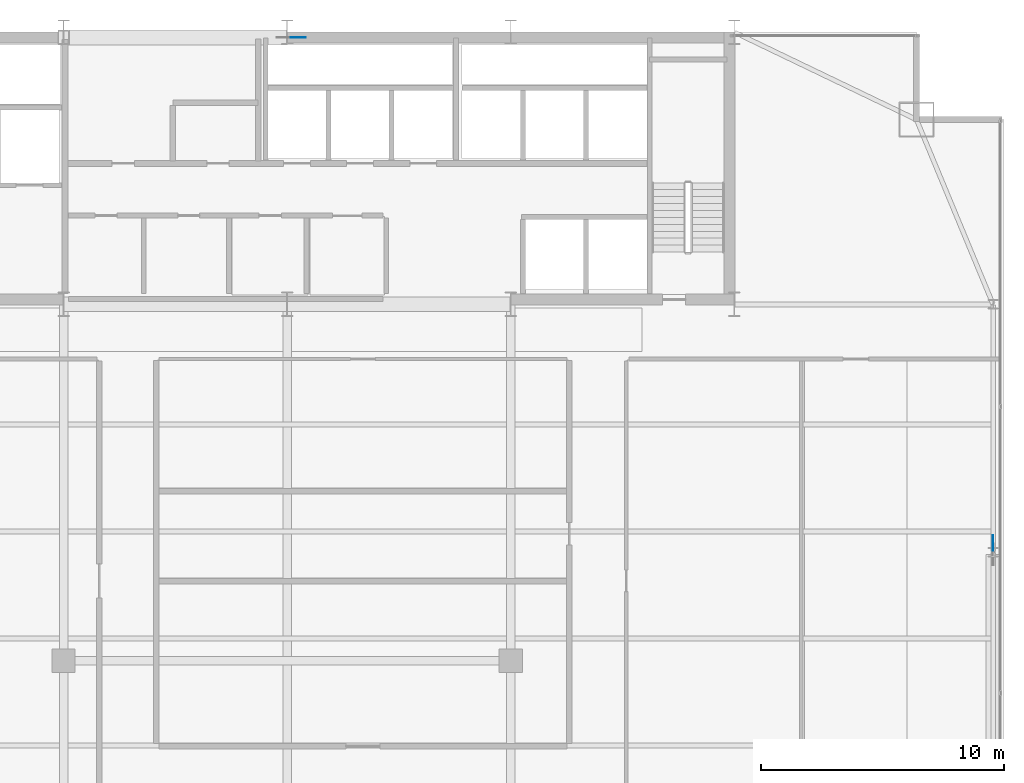
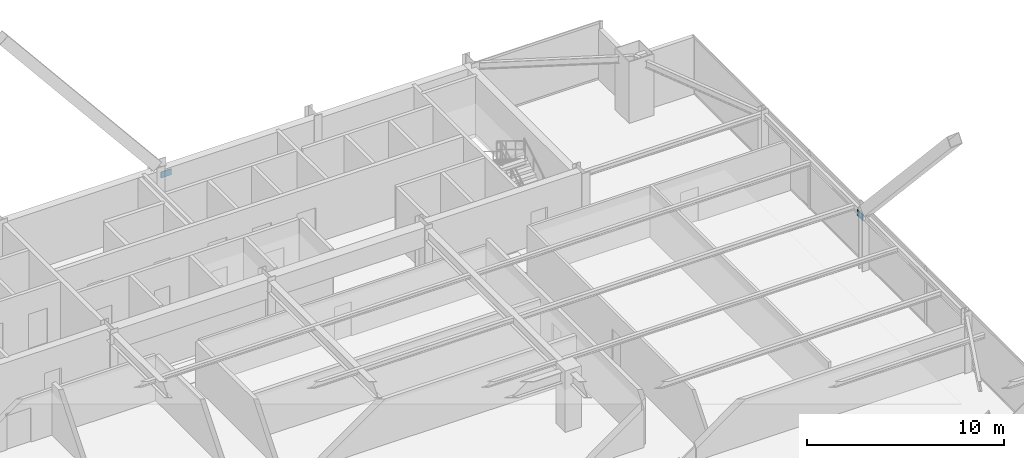
# One storey, part 32 of 37: 2 plates.
"""IFC4 building model written with IfcOpenShell, lengths in metres."""

from ifc_helpers import new_model, si_unit, direction, frame, origin, origin_2d, place, context, subcontext, project, spatial, rectangle, extrude, source, transform, mapped, material, layer, layer_set, type_object, type_shapes, element, save


model = new_model("IFC4")

# Units and contexts
model_context = context("Model", 3, precision=1e-05, world=origin(), true_north=direction((0.0, 1.0)))
body_context = subcontext(model_context, "Body", "Model", "MODEL_VIEW")
ifc_project = project(units=[si_unit("LENGTHUNIT", "METRE"), si_unit("AREAUNIT", "SQUARE_METRE"), si_unit("VOLUMEUNIT", "CUBIC_METRE"), si_unit("PLANEANGLEUNIT", "RADIAN"), si_unit("MASSUNIT", "GRAM", prefix="KILO")], contexts=[model_context])

# Site, building, storey
site_placement = place(None, origin())
site = spatial("IfcSite", under=ifc_project, at=site_placement, CompositionType="ELEMENT")
building_placement = place(site_placement, origin())
building = spatial("IfcBuilding", under=site, at=building_placement, Name="Varnel Quay Broadcast Tower", CompositionType="ELEMENT")
storey_placement = place(building_placement, frame((0.0, 0.0, 125.800048828125)))
storey = spatial("IfcBuildingStorey", under=building, at=storey_placement, Name="L30", CompositionType="ELEMENT", Elevation=125.800048828125)

# Plates
ifc_material = material(Name="Structural Steel CSA G40.21 350WT", Category="steel")
ifc_layer = layer(ifc_material, 0.031982421875, Name="Structural Steel CSA G40.21 350WT")
ifc_layer_set = layer_set([ifc_layer], Name="Structural Steel CSA G40.21 350WT")
plate_type = type_object("IfcPlateType", Name="Plate_EndCap", PredefinedType="USERDEFINED", material=ifc_layer_set)
shared_shape = source(origin(), body_context, "Body", "SweptSolid", [
    extrude(rectangle(XDim=0.6201171875, YDim=0.031982421875, at=origin_2d()), origin(), (0.0, 0.0, 1.0), 0.3798828125),
])
type_shapes(plate_type, [shared_shape])
for number, where, z_axis, x_axis, name in (
    (1, (34.45068359375, 46.580078125, 2.900390625), (0.0, 0.0, 1.0), (1.0, 0.0, 0.0), "Zone 2 Mega-Brace N-CT3 Diag B1 End Connection Plate P1"),
    (2, (63.050048828125, 25.777587890625, 2.929931640625), (0.0, 0.0, 1.0), (0.0, 1.0, 0.0), "Zone 2 Mega-Brace E-FT3 Diag B1 End Connection Plate P1"),
):
    element("IfcPlate", number, at=place(storey_placement, frame(where, z_axis=z_axis, x_axis=x_axis)), inside=storey, type_object=plate_type, Name=name, ObjectType="CAP_PLATE", PredefinedType="USERDEFINED", context=body_context, shape_type="MappedRepresentation", body=[
        mapped(shared_shape, transform((0.0, 0.0, 0.0), x_axis=(1.0, 0.0, 0.0), y_axis=(0.0, 1.0, 0.0), z_axis=(0.0, 0.0, 1.0), scale=1.0)),
    ])

save(model, "model.ifc")
